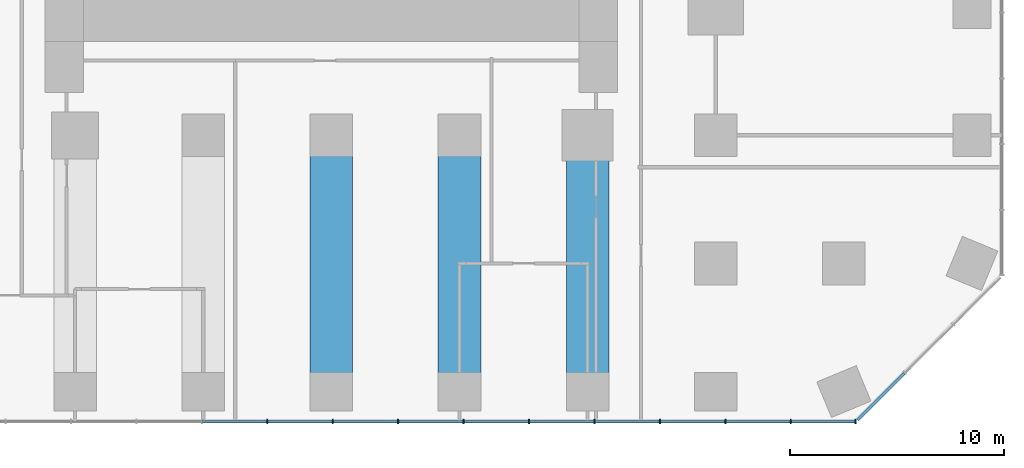
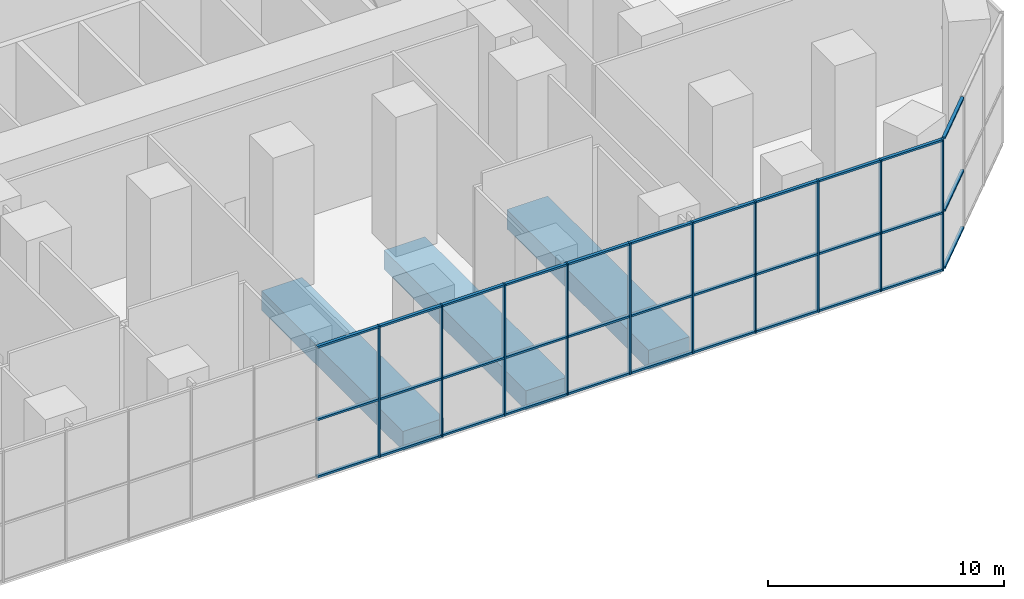
# One storey, part 4 of 16: 43 members, 3 beams, 2 elements without a shape of their own.
"""IFC4 building model written with IfcOpenShell, lengths in metres."""

from ifc_helpers import new_model, si_unit, direction, frame, origin, origin_2d, place, context, subcontext, project, spatial, rectangle, extrude, material, layer, layer_set, material_profile, profile_set, type_object, element, aggregate, save


model = new_model("IFC4")

# Units and contexts
model_context = context("Model", 3, precision=1e-05, world=origin(), true_north=direction((0.0, 1.0)))
body_context = subcontext(model_context, "Body", "Model", "MODEL_VIEW")
ifc_project = project(units=[si_unit("LENGTHUNIT", "METRE"), si_unit("AREAUNIT", "SQUARE_METRE"), si_unit("VOLUMEUNIT", "CUBIC_METRE"), si_unit("PLANEANGLEUNIT", "RADIAN"), si_unit("MASSUNIT", "GRAM", prefix="KILO")], contexts=[model_context])

# Site, building, storey
site_placement = place(None, origin())
site = spatial("IfcSite", under=ifc_project, at=site_placement, CompositionType="ELEMENT")
building_placement = place(site_placement, origin())
building = spatial("IfcBuilding", under=site, at=building_placement, Name="Highveld Stack Headquarters", CompositionType="ELEMENT")
storey_placement = place(building_placement, frame((0.0, 0.0, 11.0)))
storey = spatial("IfcBuildingStorey", under=building, at=storey_placement, Name="L02", CompositionType="ELEMENT", Elevation=11.0)

# Beams
ifc_material_1 = material(Name="Concrete C60/75", Category="concrete")
ifc_material_profile_1 = material_profile(ifc_material_1, rectangle(XDim=2.0, YDim=1.0, at=origin_2d()), Name="RC 2000x1000")
ifc_profile_set_1 = profile_set([ifc_material_profile_1], Name="Concrete C60/75")
beam_type = type_object("IfcBeamType", Name="BAND BEAM RC 2000x1000 C60/75", PredefinedType="BEAM", material=ifc_profile_set_1)
for number, where, z_axis, x_axis, name in (
    (1, (6.0, -24.0, -0.75), (0.0, 1.0, 0.0), (-1.0, 0.0, 0.0), "Band beam 7/A-7/C L02"),
    (2, (12.0, -24.0, -0.75), (0.0, 1.0, 0.0), (-1.0, 0.0, 0.0), "Band beam 8/A-8/C L02"),
    (3, (18.0, -24.0, -0.75), (0.0, 1.0, 0.0), (-1.0, 0.0, 0.0), "Band beam 9/A-9/C L02"),
):
    element("IfcBeam", number, at=place(storey_placement, frame(where, z_axis=z_axis, x_axis=x_axis)), inside=storey, type_object=beam_type, Name=name, PredefinedType="BEAM", context=body_context, shape_type="SweptSolid", body=[
        extrude(rectangle(XDim=2.0, YDim=1.0, at=origin_2d()), origin(), (0.0, 0.0, 1.0), 12.0),
    ])

# Curtain wall, members
ifc_material_2 = material(Name="Aluminium bronze anodised", Category="aluminium")
ifc_layer = layer(ifc_material_2, 0.199951171875)
ifc_layer_set = layer_set([ifc_layer], Name="Aluminium bronze anodised")
curtain_wall_type = type_object("IfcCurtainWallType", Name="CW3 PODIUM STICK CURTAIN WALL", PredefinedType="NOTDEFINED", material=ifc_layer_set)
curtain_wall_1_placement = place(storey_placement, origin())
curtain_wall_1 = element("IfcCurtainWall", 4, at=curtain_wall_1_placement, inside=storey, type_object=curtain_wall_type, Name="Curtain wall CW3 L02 S", PredefinedType="NOTDEFINED")
ifc_material_3 = material(Name="Aluminium bronze anodised", Category="aluminium")
ifc_material_profile_2 = material_profile(ifc_material_3, rectangle(XDim=0.199951171875, YDim=0.06494140625, at=origin_2d()), Name="CW3 MULLION 65x200")
ifc_profile_set_2 = profile_set([ifc_material_profile_2], Name="Aluminium bronze anodised")
member_type_1 = type_object("IfcMemberType", Name="CW3 MULLION 65x200", PredefinedType="MULLION", material=ifc_profile_set_2)
member_1_placement = place(storey_placement, frame((3.0, -25.39990234375, 0.0), z_axis=(0.0, 0.0, 1.0), x_axis=(0.0, 1.0, 0.0)))
member_1 = element("IfcMember", 5, at=member_1_placement, type_object=member_type_1, Name="CW3 mullion L02 10", PredefinedType="MULLION", context=body_context, shape_type="SweptSolid", body=[
    extrude(rectangle(XDim=0.199951171875, YDim=0.06494140625, at=origin_2d()), origin(), (0.0, 0.0, 1.0), 6.800048828125),
])
member_2_placement = place(storey_placement, frame((6.064453125, -25.39990234375, 0.0), z_axis=(0.0, 0.0, 1.0), x_axis=(0.0, 1.0, 0.0)))
member_2 = element("IfcMember", 6, at=member_2_placement, type_object=member_type_1, Name="CW3 mullion L02 11", PredefinedType="MULLION", context=body_context, shape_type="SweptSolid", body=[
    extrude(rectangle(XDim=0.199951171875, YDim=0.06494140625, at=origin_2d()), origin(), (0.0, 0.0, 1.0), 6.800048828125),
])
member_3_placement = place(storey_placement, frame((9.12890625, -25.39990234375, 0.0), z_axis=(0.0, 0.0, 1.0), x_axis=(0.0, 1.0, 0.0)))
member_3 = element("IfcMember", 7, at=member_3_placement, type_object=member_type_1, Name="CW3 mullion L02 12", PredefinedType="MULLION", context=body_context, shape_type="SweptSolid", body=[
    extrude(rectangle(XDim=0.199951171875, YDim=0.06494140625, at=origin_2d()), origin(), (0.0, 0.0, 1.0), 6.800048828125),
])
member_4_placement = place(storey_placement, frame((12.193359375, -25.39990234375, 0.0), z_axis=(0.0, 0.0, 1.0), x_axis=(0.0, 1.0, 0.0)))
member_4 = element("IfcMember", 8, at=member_4_placement, type_object=member_type_1, Name="CW3 mullion L02 13", PredefinedType="MULLION", context=body_context, shape_type="SweptSolid", body=[
    extrude(rectangle(XDim=0.199951171875, YDim=0.06494140625, at=origin_2d()), origin(), (0.0, 0.0, 1.0), 6.800048828125),
])
member_5_placement = place(storey_placement, frame((15.2578125, -25.39990234375, 0.0), z_axis=(0.0, 0.0, 1.0), x_axis=(0.0, 1.0, 0.0)))
member_5 = element("IfcMember", 9, at=member_5_placement, type_object=member_type_1, Name="CW3 mullion L02 14", PredefinedType="MULLION", context=body_context, shape_type="SweptSolid", body=[
    extrude(rectangle(XDim=0.199951171875, YDim=0.06494140625, at=origin_2d()), origin(), (0.0, 0.0, 1.0), 6.800048828125),
])
member_6_placement = place(storey_placement, frame((18.322265625, -25.39990234375, 0.0), z_axis=(0.0, 0.0, 1.0), x_axis=(0.0, 1.0, 0.0)))
member_6 = element("IfcMember", 10, at=member_6_placement, type_object=member_type_1, Name="CW3 mullion L02 15", PredefinedType="MULLION", context=body_context, shape_type="SweptSolid", body=[
    extrude(rectangle(XDim=0.199951171875, YDim=0.06494140625, at=origin_2d()), origin(), (0.0, 0.0, 1.0), 6.800048828125),
])
member_7_placement = place(storey_placement, frame((21.38671875, -25.39990234375, 0.0), z_axis=(0.0, 0.0, 1.0), x_axis=(0.0, 1.0, 0.0)))
member_7 = element("IfcMember", 11, at=member_7_placement, type_object=member_type_1, Name="CW3 mullion L02 16", PredefinedType="MULLION", context=body_context, shape_type="SweptSolid", body=[
    extrude(rectangle(XDim=0.199951171875, YDim=0.06494140625, at=origin_2d()), origin(), (0.0, 0.0, 1.0), 6.800048828125),
])
member_8_placement = place(storey_placement, frame((24.450927734375, -25.39990234375, 0.0), z_axis=(0.0, 0.0, 1.0), x_axis=(0.0, 1.0, 0.0)))
member_8 = element("IfcMember", 12, at=member_8_placement, type_object=member_type_1, Name="CW3 mullion L02 17", PredefinedType="MULLION", context=body_context, shape_type="SweptSolid", body=[
    extrude(rectangle(XDim=0.199951171875, YDim=0.06494140625, at=origin_2d()), origin(), (0.0, 0.0, 1.0), 6.800048828125),
])
member_9_placement = place(storey_placement, frame((27.515380859375, -25.39990234375, 0.0), z_axis=(0.0, 0.0, 1.0), x_axis=(0.0, 1.0, 0.0)))
member_9 = element("IfcMember", 13, at=member_9_placement, type_object=member_type_1, Name="CW3 mullion L02 18", PredefinedType="MULLION", context=body_context, shape_type="SweptSolid", body=[
    extrude(rectangle(XDim=0.199951171875, YDim=0.06494140625, at=origin_2d()), origin(), (0.0, 0.0, 1.0), 6.800048828125),
])
member_10_placement = place(storey_placement, frame((30.54736328125, -25.39990234375, 0.0), z_axis=(0.0, 0.0, 1.0), x_axis=(0.0, 1.0, 0.0)))
member_10 = element("IfcMember", 14, at=member_10_placement, type_object=member_type_1, Name="CW3 mullion L02 19", PredefinedType="MULLION", context=body_context, shape_type="SweptSolid", body=[
    extrude(rectangle(XDim=0.199951171875, YDim=0.06494140625, at=origin_2d()), origin(), (0.0, 0.0, 1.0), 6.800048828125),
])
ifc_material_4 = material(Name="Aluminium bronze anodised", Category="aluminium")
ifc_material_profile_3 = material_profile(ifc_material_4, rectangle(XDim=0.14990234375, YDim=0.10009765625, at=origin_2d()), Name="CW3 TRANSOM 150x100")
ifc_profile_set_3 = profile_set([ifc_material_profile_3], Name="Aluminium bronze anodised")
member_type_2 = type_object("IfcMemberType", Name="CW3 STACK TRANSOM 150x100", PredefinedType="USERDEFINED", material=ifc_profile_set_3)
member_11_placement = place(storey_placement, frame((-0.031982421875, -25.39990234375, 0.050048828125), z_axis=(1.0, 0.0, 0.0), x_axis=(0.0, 1.0, 0.0)))
member_11 = element("IfcMember", 15, at=member_11_placement, type_object=member_type_2, Name="CW3 transom L02 9.1", ObjectType="TRANSOM", PredefinedType="USERDEFINED", context=body_context, shape_type="SweptSolid", body=[
    extrude(rectangle(XDim=0.14990234375, YDim=0.10009765625, at=origin_2d()), origin(), (0.0, 0.0, 1.0), 2.99951171875),
])
member_12_placement = place(storey_placement, frame((-0.031982421875, -25.39990234375, 3.0), z_axis=(1.0, 0.0, 0.0), x_axis=(0.0, 1.0, 0.0)))
member_12 = element("IfcMember", 16, at=member_12_placement, type_object=member_type_2, Name="CW3 transom L02 9.2", ObjectType="TRANSOM", PredefinedType="USERDEFINED", context=body_context, shape_type="SweptSolid", body=[
    extrude(rectangle(XDim=0.14990234375, YDim=0.10009765625, at=origin_2d()), origin(), (0.0, 0.0, 1.0), 2.99951171875),
])
member_13_placement = place(storey_placement, frame((-0.031982421875, -25.39990234375, 6.75), z_axis=(1.0, 0.0, 0.0), x_axis=(0.0, 1.0, 0.0)))
member_13 = element("IfcMember", 17, at=member_13_placement, type_object=member_type_2, Name="CW3 transom L02 9.3", ObjectType="TRANSOM", PredefinedType="USERDEFINED", context=body_context, shape_type="SweptSolid", body=[
    extrude(rectangle(XDim=0.14990234375, YDim=0.10009765625, at=origin_2d()), origin(), (0.0, 0.0, 1.0), 2.99951171875),
])
member_14_placement = place(storey_placement, frame((3.032470703125, -25.39990234375, 0.050048828125), z_axis=(1.0, 0.0, 0.0), x_axis=(0.0, 1.0, 0.0)))
member_14 = element("IfcMember", 18, at=member_14_placement, type_object=member_type_2, Name="CW3 transom L02 10.1", ObjectType="TRANSOM", PredefinedType="USERDEFINED", context=body_context, shape_type="SweptSolid", body=[
    extrude(rectangle(XDim=0.14990234375, YDim=0.10009765625, at=origin_2d()), origin(), (0.0, 0.0, 1.0), 2.99951171875),
])
member_15_placement = place(storey_placement, frame((3.032470703125, -25.39990234375, 3.0), z_axis=(1.0, 0.0, 0.0), x_axis=(0.0, 1.0, 0.0)))
member_15 = element("IfcMember", 19, at=member_15_placement, type_object=member_type_2, Name="CW3 transom L02 10.2", ObjectType="TRANSOM", PredefinedType="USERDEFINED", context=body_context, shape_type="SweptSolid", body=[
    extrude(rectangle(XDim=0.14990234375, YDim=0.10009765625, at=origin_2d()), origin(), (0.0, 0.0, 1.0), 2.99951171875),
])
member_16_placement = place(storey_placement, frame((3.032470703125, -25.39990234375, 6.75), z_axis=(1.0, 0.0, 0.0), x_axis=(0.0, 1.0, 0.0)))
member_16 = element("IfcMember", 20, at=member_16_placement, type_object=member_type_2, Name="CW3 transom L02 10.3", ObjectType="TRANSOM", PredefinedType="USERDEFINED", context=body_context, shape_type="SweptSolid", body=[
    extrude(rectangle(XDim=0.14990234375, YDim=0.10009765625, at=origin_2d()), origin(), (0.0, 0.0, 1.0), 2.99951171875),
])
member_17_placement = place(storey_placement, frame((6.096923828125, -25.39990234375, 0.050048828125), z_axis=(1.0, 0.0, 0.0), x_axis=(0.0, 1.0, 0.0)))
member_17 = element("IfcMember", 21, at=member_17_placement, type_object=member_type_2, Name="CW3 transom L02 11.1", ObjectType="TRANSOM", PredefinedType="USERDEFINED", context=body_context, shape_type="SweptSolid", body=[
    extrude(rectangle(XDim=0.14990234375, YDim=0.10009765625, at=origin_2d()), origin(), (0.0, 0.0, 1.0), 2.99951171875),
])
member_18_placement = place(storey_placement, frame((6.096923828125, -25.39990234375, 3.0), z_axis=(1.0, 0.0, 0.0), x_axis=(0.0, 1.0, 0.0)))
member_18 = element("IfcMember", 22, at=member_18_placement, type_object=member_type_2, Name="CW3 transom L02 11.2", ObjectType="TRANSOM", PredefinedType="USERDEFINED", context=body_context, shape_type="SweptSolid", body=[
    extrude(rectangle(XDim=0.14990234375, YDim=0.10009765625, at=origin_2d()), origin(), (0.0, 0.0, 1.0), 2.99951171875),
])
member_19_placement = place(storey_placement, frame((6.096923828125, -25.39990234375, 6.75), z_axis=(1.0, 0.0, 0.0), x_axis=(0.0, 1.0, 0.0)))
member_19 = element("IfcMember", 23, at=member_19_placement, type_object=member_type_2, Name="CW3 transom L02 11.3", ObjectType="TRANSOM", PredefinedType="USERDEFINED", context=body_context, shape_type="SweptSolid", body=[
    extrude(rectangle(XDim=0.14990234375, YDim=0.10009765625, at=origin_2d()), origin(), (0.0, 0.0, 1.0), 2.99951171875),
])
member_20_placement = place(storey_placement, frame((9.161376953125, -25.39990234375, 0.050048828125), z_axis=(1.0, 0.0, 0.0), x_axis=(0.0, 1.0, 0.0)))
member_20 = element("IfcMember", 24, at=member_20_placement, type_object=member_type_2, Name="CW3 transom L02 12.1", ObjectType="TRANSOM", PredefinedType="USERDEFINED", context=body_context, shape_type="SweptSolid", body=[
    extrude(rectangle(XDim=0.14990234375, YDim=0.10009765625, at=origin_2d()), origin(), (0.0, 0.0, 1.0), 2.99951171875),
])
member_21_placement = place(storey_placement, frame((9.161376953125, -25.39990234375, 3.0), z_axis=(1.0, 0.0, 0.0), x_axis=(0.0, 1.0, 0.0)))
member_21 = element("IfcMember", 25, at=member_21_placement, type_object=member_type_2, Name="CW3 transom L02 12.2", ObjectType="TRANSOM", PredefinedType="USERDEFINED", context=body_context, shape_type="SweptSolid", body=[
    extrude(rectangle(XDim=0.14990234375, YDim=0.10009765625, at=origin_2d()), origin(), (0.0, 0.0, 1.0), 2.99951171875),
])
member_22_placement = place(storey_placement, frame((9.161376953125, -25.39990234375, 6.75), z_axis=(1.0, 0.0, 0.0), x_axis=(0.0, 1.0, 0.0)))
member_22 = element("IfcMember", 26, at=member_22_placement, type_object=member_type_2, Name="CW3 transom L02 12.3", ObjectType="TRANSOM", PredefinedType="USERDEFINED", context=body_context, shape_type="SweptSolid", body=[
    extrude(rectangle(XDim=0.14990234375, YDim=0.10009765625, at=origin_2d()), origin(), (0.0, 0.0, 1.0), 2.99951171875),
])
member_23_placement = place(storey_placement, frame((12.225830078125, -25.39990234375, 0.050048828125), z_axis=(1.0, 0.0, 0.0), x_axis=(0.0, 1.0, 0.0)))
member_23 = element("IfcMember", 27, at=member_23_placement, type_object=member_type_2, Name="CW3 transom L02 13.1", ObjectType="TRANSOM", PredefinedType="USERDEFINED", context=body_context, shape_type="SweptSolid", body=[
    extrude(rectangle(XDim=0.14990234375, YDim=0.10009765625, at=origin_2d()), origin(), (0.0, 0.0, 1.0), 2.999267578125),
])
member_24_placement = place(storey_placement, frame((12.225830078125, -25.39990234375, 3.0), z_axis=(1.0, 0.0, 0.0), x_axis=(0.0, 1.0, 0.0)))
member_24 = element("IfcMember", 28, at=member_24_placement, type_object=member_type_2, Name="CW3 transom L02 13.2", ObjectType="TRANSOM", PredefinedType="USERDEFINED", context=body_context, shape_type="SweptSolid", body=[
    extrude(rectangle(XDim=0.14990234375, YDim=0.10009765625, at=origin_2d()), origin(), (0.0, 0.0, 1.0), 2.999267578125),
])
member_25_placement = place(storey_placement, frame((12.225830078125, -25.39990234375, 6.75), z_axis=(1.0, 0.0, 0.0), x_axis=(0.0, 1.0, 0.0)))
member_25 = element("IfcMember", 29, at=member_25_placement, type_object=member_type_2, Name="CW3 transom L02 13.3", ObjectType="TRANSOM", PredefinedType="USERDEFINED", context=body_context, shape_type="SweptSolid", body=[
    extrude(rectangle(XDim=0.14990234375, YDim=0.10009765625, at=origin_2d()), origin(), (0.0, 0.0, 1.0), 2.999267578125),
])
member_26_placement = place(storey_placement, frame((15.290283203125, -25.39990234375, 0.050048828125), z_axis=(1.0, 0.0, 0.0), x_axis=(0.0, 1.0, 0.0)))
member_26 = element("IfcMember", 30, at=member_26_placement, type_object=member_type_2, Name="CW3 transom L02 14.1", ObjectType="TRANSOM", PredefinedType="USERDEFINED", context=body_context, shape_type="SweptSolid", body=[
    extrude(rectangle(XDim=0.14990234375, YDim=0.10009765625, at=origin_2d()), origin(), (0.0, 0.0, 1.0), 2.99951171875),
])
member_27_placement = place(storey_placement, frame((15.290283203125, -25.39990234375, 3.0), z_axis=(1.0, 0.0, 0.0), x_axis=(0.0, 1.0, 0.0)))
member_27 = element("IfcMember", 31, at=member_27_placement, type_object=member_type_2, Name="CW3 transom L02 14.2", ObjectType="TRANSOM", PredefinedType="USERDEFINED", context=body_context, shape_type="SweptSolid", body=[
    extrude(rectangle(XDim=0.14990234375, YDim=0.10009765625, at=origin_2d()), origin(), (0.0, 0.0, 1.0), 2.99951171875),
])
member_28_placement = place(storey_placement, frame((15.290283203125, -25.39990234375, 6.75), z_axis=(1.0, 0.0, 0.0), x_axis=(0.0, 1.0, 0.0)))
member_28 = element("IfcMember", 32, at=member_28_placement, type_object=member_type_2, Name="CW3 transom L02 14.3", ObjectType="TRANSOM", PredefinedType="USERDEFINED", context=body_context, shape_type="SweptSolid", body=[
    extrude(rectangle(XDim=0.14990234375, YDim=0.10009765625, at=origin_2d()), origin(), (0.0, 0.0, 1.0), 2.99951171875),
])
member_29_placement = place(storey_placement, frame((18.354736328125, -25.39990234375, 0.050048828125), z_axis=(1.0, 0.0, 0.0), x_axis=(0.0, 1.0, 0.0)))
member_29 = element("IfcMember", 33, at=member_29_placement, type_object=member_type_2, Name="CW3 transom L02 15.1", ObjectType="TRANSOM", PredefinedType="USERDEFINED", context=body_context, shape_type="SweptSolid", body=[
    extrude(rectangle(XDim=0.14990234375, YDim=0.10009765625, at=origin_2d()), origin(), (0.0, 0.0, 1.0), 2.999267578125),
])
member_30_placement = place(storey_placement, frame((18.354736328125, -25.39990234375, 3.0), z_axis=(1.0, 0.0, 0.0), x_axis=(0.0, 1.0, 0.0)))
member_30 = element("IfcMember", 34, at=member_30_placement, type_object=member_type_2, Name="CW3 transom L02 15.2", ObjectType="TRANSOM", PredefinedType="USERDEFINED", context=body_context, shape_type="SweptSolid", body=[
    extrude(rectangle(XDim=0.14990234375, YDim=0.10009765625, at=origin_2d()), origin(), (0.0, 0.0, 1.0), 2.999267578125),
])
member_31_placement = place(storey_placement, frame((18.354736328125, -25.39990234375, 6.75), z_axis=(1.0, 0.0, 0.0), x_axis=(0.0, 1.0, 0.0)))
member_31 = element("IfcMember", 35, at=member_31_placement, type_object=member_type_2, Name="CW3 transom L02 15.3", ObjectType="TRANSOM", PredefinedType="USERDEFINED", context=body_context, shape_type="SweptSolid", body=[
    extrude(rectangle(XDim=0.14990234375, YDim=0.10009765625, at=origin_2d()), origin(), (0.0, 0.0, 1.0), 2.999267578125),
])
member_32_placement = place(storey_placement, frame((21.419189453125, -25.39990234375, 0.050048828125), z_axis=(1.0, 0.0, 0.0), x_axis=(0.0, 1.0, 0.0)))
member_32 = element("IfcMember", 36, at=member_32_placement, type_object=member_type_2, Name="CW3 transom L02 16.1", ObjectType="TRANSOM", PredefinedType="USERDEFINED", context=body_context, shape_type="SweptSolid", body=[
    extrude(rectangle(XDim=0.14990234375, YDim=0.10009765625, at=origin_2d()), origin(), (0.0, 0.0, 1.0), 2.999267578125),
])
member_33_placement = place(storey_placement, frame((21.419189453125, -25.39990234375, 3.0), z_axis=(1.0, 0.0, 0.0), x_axis=(0.0, 1.0, 0.0)))
member_33 = element("IfcMember", 37, at=member_33_placement, type_object=member_type_2, Name="CW3 transom L02 16.2", ObjectType="TRANSOM", PredefinedType="USERDEFINED", context=body_context, shape_type="SweptSolid", body=[
    extrude(rectangle(XDim=0.14990234375, YDim=0.10009765625, at=origin_2d()), origin(), (0.0, 0.0, 1.0), 2.999267578125),
])
member_34_placement = place(storey_placement, frame((21.419189453125, -25.39990234375, 6.75), z_axis=(1.0, 0.0, 0.0), x_axis=(0.0, 1.0, 0.0)))
member_34 = element("IfcMember", 38, at=member_34_placement, type_object=member_type_2, Name="CW3 transom L02 16.3", ObjectType="TRANSOM", PredefinedType="USERDEFINED", context=body_context, shape_type="SweptSolid", body=[
    extrude(rectangle(XDim=0.14990234375, YDim=0.10009765625, at=origin_2d()), origin(), (0.0, 0.0, 1.0), 2.999267578125),
])
member_35_placement = place(storey_placement, frame((24.4833984375, -25.39990234375, 0.050048828125), z_axis=(1.0, 0.0, 0.0), x_axis=(0.0, 1.0, 0.0)))
member_35 = element("IfcMember", 39, at=member_35_placement, type_object=member_type_2, Name="CW3 transom L02 17.1", ObjectType="TRANSOM", PredefinedType="USERDEFINED", context=body_context, shape_type="SweptSolid", body=[
    extrude(rectangle(XDim=0.14990234375, YDim=0.10009765625, at=origin_2d()), origin(), (0.0, 0.0, 1.0), 2.99951171875),
])
member_36_placement = place(storey_placement, frame((24.4833984375, -25.39990234375, 3.0), z_axis=(1.0, 0.0, 0.0), x_axis=(0.0, 1.0, 0.0)))
member_36 = element("IfcMember", 40, at=member_36_placement, type_object=member_type_2, Name="CW3 transom L02 17.2", ObjectType="TRANSOM", PredefinedType="USERDEFINED", context=body_context, shape_type="SweptSolid", body=[
    extrude(rectangle(XDim=0.14990234375, YDim=0.10009765625, at=origin_2d()), origin(), (0.0, 0.0, 1.0), 2.99951171875),
])
member_37_placement = place(storey_placement, frame((24.4833984375, -25.39990234375, 6.75), z_axis=(1.0, 0.0, 0.0), x_axis=(0.0, 1.0, 0.0)))
member_37 = element("IfcMember", 41, at=member_37_placement, type_object=member_type_2, Name="CW3 transom L02 17.3", ObjectType="TRANSOM", PredefinedType="USERDEFINED", context=body_context, shape_type="SweptSolid", body=[
    extrude(rectangle(XDim=0.14990234375, YDim=0.10009765625, at=origin_2d()), origin(), (0.0, 0.0, 1.0), 2.99951171875),
])
member_38_placement = place(storey_placement, frame((27.548095703125, -25.39990234375, 0.050048828125), z_axis=(1.0, 0.0, 0.0), x_axis=(0.0, 1.0, 0.0)))
member_38 = element("IfcMember", 42, at=member_38_placement, type_object=member_type_2, Name="CW3 transom L02 18.1", ObjectType="TRANSOM", PredefinedType="USERDEFINED", context=body_context, shape_type="SweptSolid", body=[
    extrude(rectangle(XDim=0.14990234375, YDim=0.10009765625, at=origin_2d()), origin(), (0.0, 0.0, 1.0), 2.966796875),
])
member_39_placement = place(storey_placement, frame((27.548095703125, -25.39990234375, 3.0), z_axis=(1.0, 0.0, 0.0), x_axis=(0.0, 1.0, 0.0)))
member_39 = element("IfcMember", 43, at=member_39_placement, type_object=member_type_2, Name="CW3 transom L02 18.2", ObjectType="TRANSOM", PredefinedType="USERDEFINED", context=body_context, shape_type="SweptSolid", body=[
    extrude(rectangle(XDim=0.14990234375, YDim=0.10009765625, at=origin_2d()), origin(), (0.0, 0.0, 1.0), 2.966796875),
])
member_40_placement = place(storey_placement, frame((27.548095703125, -25.39990234375, 6.75), z_axis=(1.0, 0.0, 0.0), x_axis=(0.0, 1.0, 0.0)))
member_40 = element("IfcMember", 44, at=member_40_placement, type_object=member_type_2, Name="CW3 transom L02 18.3", ObjectType="TRANSOM", PredefinedType="USERDEFINED", context=body_context, shape_type="SweptSolid", body=[
    extrude(rectangle(XDim=0.14990234375, YDim=0.10009765625, at=origin_2d()), origin(), (0.0, 0.0, 1.0), 2.966796875),
])
aggregate(curtain_wall_1, [member_1, member_2, member_3, member_4, member_5, member_6, member_7, member_8, member_9, member_10, member_11, member_12, member_13, member_14, member_15, member_16, member_17, member_18, member_19, member_20, member_21, member_22, member_23, member_24, member_25, member_26, member_27, member_28, member_29, member_30, member_31, member_32, member_33, member_34, member_35, member_36, member_37, member_38, member_39, member_40])

curtain_wall_2_placement = place(storey_placement, origin())
curtain_wall_2 = element("IfcCurtainWall", 45, at=curtain_wall_2_placement, inside=storey, type_object=curtain_wall_type, Name="Curtain wall CW3 L02 SE", PredefinedType="NOTDEFINED")
member_41_placement = place(storey_placement, frame((30.650634765625, -25.329345703125, 0.050048828125), z_axis=(0.707106781187, 0.707106781187, 0.0), x_axis=(-0.707106781187, 0.707106781187, 0.0)))
member_41 = element("IfcMember", 46, at=member_41_placement, type_object=member_type_2, Name="CW3 transom L02 1.1", ObjectType="TRANSOM", PredefinedType="USERDEFINED", context=body_context, shape_type="SweptSolid", body=[
    extrude(rectangle(XDim=0.14990234375, YDim=0.10009765625, at=origin_2d()), origin(), (0.0, 0.0, 1.0), 3.08251953125),
])
member_42_placement = place(storey_placement, frame((30.650634765625, -25.329345703125, 3.0), z_axis=(0.707106781187, 0.707106781187, 0.0), x_axis=(-0.707106781187, 0.707106781187, 0.0)))
member_42 = element("IfcMember", 47, at=member_42_placement, type_object=member_type_2, Name="CW3 transom L02 1.2", ObjectType="TRANSOM", PredefinedType="USERDEFINED", context=body_context, shape_type="SweptSolid", body=[
    extrude(rectangle(XDim=0.14990234375, YDim=0.10009765625, at=origin_2d()), origin(), (0.0, 0.0, 1.0), 3.08251953125),
])
member_43_placement = place(storey_placement, frame((30.650634765625, -25.329345703125, 6.75), z_axis=(0.707106781187, 0.707106781187, 0.0), x_axis=(-0.707106781187, 0.707106781187, 0.0)))
member_43 = element("IfcMember", 48, at=member_43_placement, type_object=member_type_2, Name="CW3 transom L02 1.3", ObjectType="TRANSOM", PredefinedType="USERDEFINED", context=body_context, shape_type="SweptSolid", body=[
    extrude(rectangle(XDim=0.14990234375, YDim=0.10009765625, at=origin_2d()), origin(), (0.0, 0.0, 1.0), 3.08251953125),
])
aggregate(curtain_wall_2, [member_41, member_42, member_43])

save(model, "model.ifc")
